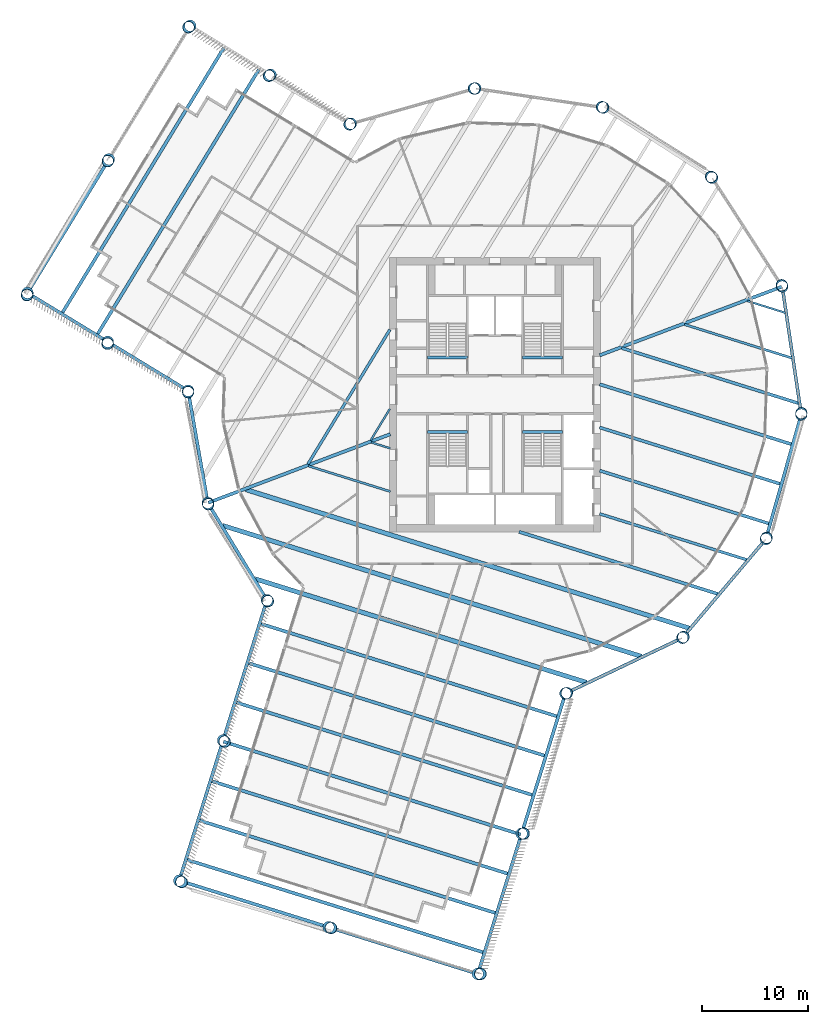
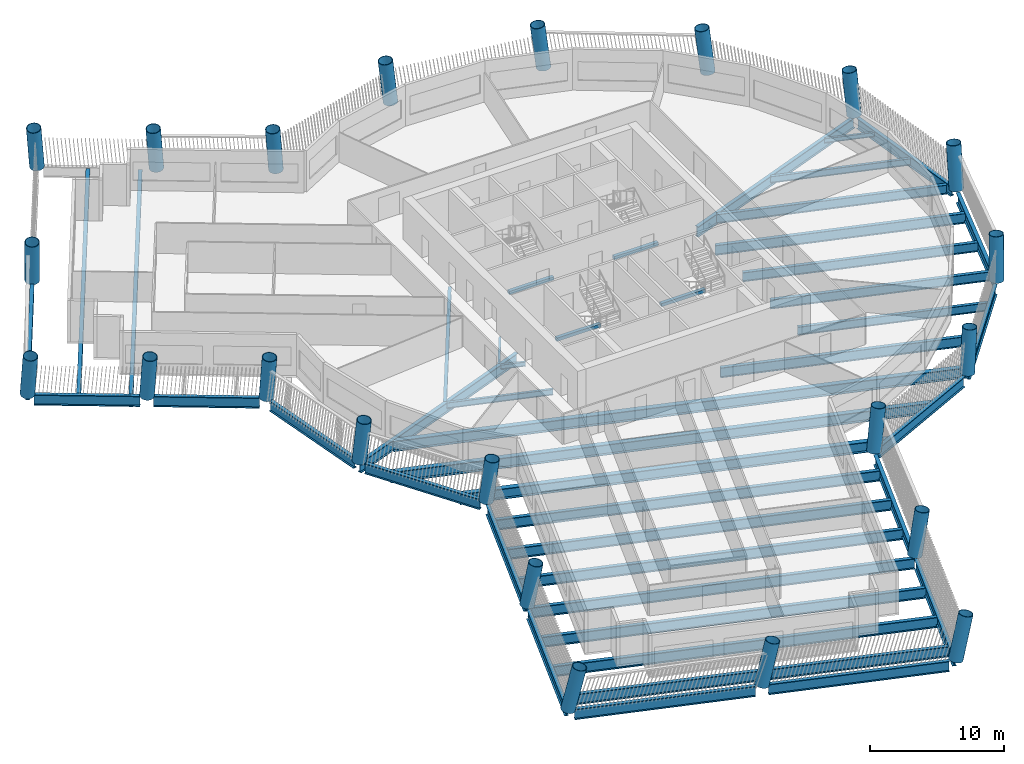
# One storey, part 1 of 15: 45 beams, 22 columns.
"""IFC4 building model written with IfcOpenShell, lengths in metres."""

from ifc_helpers import new_model, si_unit, direction, frame, origin, origin_2d, place, context, subcontext, project, spatial, rectangle, hollow_circle, i_section, extrude, material, material_profile, profile_set, type_object, element, save


model = new_model("IFC4")

# Units and contexts
model_context = context("Model", 3, precision=1e-05, world=origin(), true_north=direction((0.0, 1.0)))
body_context = subcontext(model_context, "Body", "Model", "MODEL_VIEW")
ifc_project = project(units=[si_unit("LENGTHUNIT", "METRE"), si_unit("AREAUNIT", "SQUARE_METRE"), si_unit("VOLUMEUNIT", "CUBIC_METRE"), si_unit("PLANEANGLEUNIT", "RADIAN"), si_unit("MASSUNIT", "GRAM", prefix="KILO")], contexts=[model_context])

# Site, building, storey
site_placement = place(None, origin())
site = spatial("IfcSite", under=ifc_project, at=site_placement, CompositionType="ELEMENT")
building_placement = place(site_placement, origin())
building = spatial("IfcBuilding", under=site, at=building_placement, Name="Tarsis Ring Headquarters", CompositionType="ELEMENT")
storey_placement = place(building_placement, frame((0.0, 0.0, 151.5)))
storey = spatial("IfcBuildingStorey", under=building, at=storey_placement, Name="L34", CompositionType="ELEMENT", Elevation=151.5)

# Columns
ifc_material_1 = material(Name="Structural steel S355", Category="steel")
ifc_material_profile_1 = material_profile(ifc_material_1, hollow_circle(Radius=0.558837890625, WallThickness=0.044921875, at=origin_2d()), Name="CHS 1118x45")
ifc_profile_set_1 = profile_set([ifc_material_profile_1], Name="Structural steel S355")
column_type = type_object("IfcColumnType", Name="XC Exo column CHS 1118x45", PredefinedType="COLUMN", material=ifc_profile_set_1)
for number, where, z_axis, x_axis, name in (
    (1, (-27.183837890625, -10.239501953125, 0.0009765625), (0.041804272947, -0.108429832957, 0.993224734936), (0.933055569387, 0.359732267716, 0.0), "Exo column XC4 F1"),
    (2, (-21.583740234375, -19.441162109375, 0.0009765625), (0.078445315839, -0.085723747206, 0.993225941862), (0.737731659845, 0.675094066084, 0.0), "Exo column XC4 AK"),
):
    element("IfcColumn", number, at=place(storey_placement, frame(where, z_axis=z_axis, x_axis=x_axis)), inside=storey, type_object=column_type, Name=name, PredefinedType="COLUMN", context=body_context, shape_type="SweptSolid", body=[
        extrude(hollow_circle(Radius=0.558837890625, WallThickness=0.044921875, at=origin_2d()), origin(), (0.0, 0.0, 1.0), 3.924560546875),
    ])
column_1_placement = place(storey_placement, frame((-25.731689453125, -32.710205078125, 0.001220703125), z_axis=(0.13072447275, -0.101194086184, 0.986240776457), x_axis=(0.612127968154, 0.790758718323, 0.0)))
element("IfcColumn", 3, at=column_1_placement, inside=storey, type_object=column_type, Name="Exo column XC4 AI1", PredefinedType="COLUMN", context=body_context, shape_type="SweptSolid", body=[
    extrude(hollow_circle(Radius=0.558837890625, WallThickness=0.044921875, at=origin_2d()), origin(), (0.0, 0.0, 1.0), 3.951904296875),
])
column_2_placement = place(storey_placement, frame((-29.879638671875, -45.979248046875, 0.001708984375), z_axis=(0.18170218149, -0.116056915248, 0.976480982746), x_axis=(0.538288519805, 0.842760624048, 0.0)))
element("IfcColumn", 4, at=column_2_placement, inside=storey, type_object=column_type, Name="Exo column XC4 AT1", PredefinedType="COLUMN", context=body_context, shape_type="SweptSolid", body=[
    extrude(hollow_circle(Radius=0.558837890625, WallThickness=0.044921875, at=origin_2d()), origin(), (0.0, 0.0, 1.0), 3.990478515625),
])
column_3_placement = place(storey_placement, frame((-15.75390625, -50.39501953125, 0.00146484375), z_axis=(0.199032044073, -0.060481720289, 0.978124842207), x_axis=(0.290751316347, 0.956798658048, 0.0)))
element("IfcColumn", 5, at=column_3_placement, inside=storey, type_object=column_type, Name="Exo column XC4 AT2", PredefinedType="COLUMN", context=body_context, shape_type="SweptSolid", body=[
    extrude(hollow_circle(Radius=0.558837890625, WallThickness=0.044921875, at=origin_2d()), origin(), (0.0, 0.0, 1.0), 3.984130859375),
])
column_4_placement = place(storey_placement, frame((-1.6279296875, -54.810791015625, 0.001708984375), z_axis=(0.215593434626, -0.004710753254, 0.976471853025), x_axis=(0.021844956165, 0.999761370473, 0.0)))
element("IfcColumn", 6, at=column_4_placement, inside=storey, type_object=column_type, Name="Exo column XC4 AT3", PredefinedType="COLUMN", context=body_context, shape_type="SweptSolid", body=[
    extrude(hollow_circle(Radius=0.558837890625, WallThickness=0.044921875, at=origin_2d()), origin(), (0.0, 0.0, 1.0), 3.99072265625),
])
column_5_placement = place(storey_placement, frame((2.52001953125, -41.541748046875, 0.001220703125), z_axis=(0.164889373761, 0.011305640839, 0.986247269657), x_axis=(-0.068404404128, 0.997657675506, 0.0)))
element("IfcColumn", 7, at=column_5_placement, inside=storey, type_object=column_type, Name="Exo column XC4 AO1", PredefinedType="COLUMN", context=body_context, shape_type="SweptSolid", body=[
    extrude(hollow_circle(Radius=0.558837890625, WallThickness=0.044921875, at=origin_2d()), origin(), (0.0, 0.0, 1.0), 3.951904296875),
])
for number, where, z_axis, x_axis, name in (
    (8, (6.66796875, -28.27294921875, 0.0009765625), (0.112908678465, 0.027558426755, 0.993223118661), (-0.23711636169, 0.971481256134, 0.0), "Exo column XC4 AJ"),
    (9, (17.72900390625, -23.010986328125, 0.0009765625), (0.091447135319, 0.071664693801, 0.99322786565), (-0.616827875419, 0.787098070196, 0.0), "Exo column XC4 R1"),
    (10, (25.6376953125, -13.657470703125, 0.0009765625), (0.053810807795, 0.102955938613, 0.993229314745), (-0.886250425373, 0.463206415678, 0.0), "Exo column XC4 R2"),
    (11, (28.98779296875, -1.875732421875, 0.0009765625), (0.006594128582, 0.11601933779, 0.993225065495), (-0.998388711105, 0.056744881167, 0.0), "Exo column XC4 R3"),
    (12, (27.183837890625, 10.239501953125, 0.0009765625), (-0.041804272947, 0.108429832957, 0.993224734936), (-0.933055569387, -0.359732267716, 0.0), "Exo column XC4 R4"),
    (13, (20.546630859375, 20.5341796875, 0.0009765625), (-0.082799728302, 0.081555555074, 0.993223487655), (-0.701733860568, -0.71243918262, 0.0), "Exo column XC4 R5"),
    (14, (10.255859375, 27.177734375, 0.0009765625), (-0.108990304854, 0.040187064461, 0.993230141154), (-0.345953519993, -0.938251651746, 0.0), "Exo column XC4 R6"),
    (15, (-1.858154296875, 28.989013671875, 0.0009765625), (-0.115895085319, -0.00833598574, 0.993226479984), (0.071741661365, -0.997423247185, 0.0), "Exo column XC4 R7"),
    (16, (-13.64208984375, 25.64599609375, 0.0009765625), (-0.102146668835, -0.055427942711, 0.993223943133), (0.47693829046, -0.878936782194, 0.0), "Exo column XC4 BJ"),
):
    element("IfcColumn", number, at=place(storey_placement, frame(where, z_axis=z_axis, x_axis=x_axis)), inside=storey, type_object=column_type, Name=name, PredefinedType="COLUMN", context=body_context, shape_type="SweptSolid", body=[
        extrude(hollow_circle(Radius=0.558837890625, WallThickness=0.044921875, at=origin_2d()), origin(), (0.0, 0.0, 1.0), 3.924560546875),
    ])
column_6_placement = place(storey_placement, frame((-21.243896484375, 30.278564453125, 0.001220703125), z_axis=(-0.119941943208, -0.085557760109, 0.989087357085), x_axis=(0.580720965687, -0.814102671665, 0.0)))
element("IfcColumn", 17, at=column_6_placement, inside=storey, type_object=column_type, Name="Exo column XC4 BO1", PredefinedType="COLUMN", context=body_context, shape_type="SweptSolid", body=[
    extrude(hollow_circle(Radius=0.558837890625, WallThickness=0.044921875, at=origin_2d()), origin(), (0.0, 0.0, 1.0), 3.940673828125),
])
column_7_placement = place(storey_placement, frame((-28.845703125, 34.911376953125, 0.00146484375), z_axis=(-0.137430726808, -0.115367856765, 0.983769817058), x_axis=(0.642950410575, -0.765907807469, 0.0)))
element("IfcColumn", 18, at=column_7_placement, inside=storey, type_object=column_type, Name="Exo column XC4 BT3", PredefinedType="COLUMN", context=body_context, shape_type="SweptSolid", body=[
    extrude(hollow_circle(Radius=0.558837890625, WallThickness=0.044921875, at=origin_2d()), origin(), (0.0, 0.0, 1.0), 3.96142578125),
])
column_8_placement = place(storey_placement, frame((-36.547607421875, 22.2734375, 0.001220703125), z_axis=(-0.087286775576, -0.145745457663, 0.985463992432), x_axis=(0.857909447633, -0.513800914423, 0.0)))
element("IfcColumn", 19, at=column_8_placement, inside=storey, type_object=column_type, Name="Exo column XC4 BT2", PredefinedType="COLUMN", context=body_context, shape_type="SweptSolid", body=[
    extrude(hollow_circle(Radius=0.558837890625, WallThickness=0.044921875, at=origin_2d()), origin(), (0.0, 0.0, 1.0), 3.954833984375),
])
column_9_placement = place(storey_placement, frame((-44.249755859375, 9.635498046875, 0.00146484375), z_axis=(-0.036791879247, -0.175639624544, 0.98376678126), x_axis=(0.978756981473, -0.205023830856, 0.0)))
element("IfcColumn", 20, at=column_9_placement, inside=storey, type_object=column_type, Name="Exo column XC4 BT1", PredefinedType="COLUMN", context=body_context, shape_type="SweptSolid", body=[
    extrude(hollow_circle(Radius=0.558837890625, WallThickness=0.044921875, at=origin_2d()), origin(), (0.0, 0.0, 1.0), 3.96142578125),
])
column_10_placement = place(storey_placement, frame((-36.64794921875, 5.002685546875, 0.001220703125), z_axis=(-0.018771853743, -0.146147864623, 0.989084637012), x_axis=(0.991851721343, -0.127397656451, 0.0)))
element("IfcColumn", 21, at=column_10_placement, inside=storey, type_object=column_type, Name="Exo column XC4 BI1", PredefinedType="COLUMN", context=body_context, shape_type="SweptSolid", body=[
    extrude(hollow_circle(Radius=0.558837890625, WallThickness=0.044921875, at=origin_2d()), origin(), (0.0, 0.0, 1.0), 3.940673828125),
])
column_11_placement = place(storey_placement, frame((-29.046142578125, 0.369873046875, 0.0009765625), z_axis=(-0.000559878794, -0.116205954177, 0.993224980933), x_axis=(0.999988393702, -0.004817931233, 0.0)))
element("IfcColumn", 22, at=column_11_placement, inside=storey, type_object=column_type, Name="Exo column XC4 BK", PredefinedType="COLUMN", context=body_context, shape_type="SweptSolid", body=[
    extrude(hollow_circle(Radius=0.558837890625, WallThickness=0.044921875, at=origin_2d()), origin(), (0.0, 0.0, 1.0), 3.924560546875),
])

# Beams
ifc_material_profile_2 = material_profile(ifc_material_1, i_section(OverallWidth=0.177734375, OverallDepth=0.406494140625, WebThickness=0.0078125, FlangeThickness=0.0126953125, at=origin_2d()), Name="W16x40")
ifc_profile_set_2 = profile_set([ifc_material_profile_2], Name="Structural steel S355")
beam_type_1 = type_object("IfcBeamType", Name="FB Floor beam W16x40", PredefinedType="JOIST", material=ifc_profile_set_2)
beam_1_placement = place(storey_placement, frame((23.85693359375, 8.886474609375, -0.36328125), z_axis=(0.954457142188, -0.298348058025, 0.0), x_axis=(0.298348058025, 0.954457142188, 0.0)))
element("IfcBeam", 23, at=beam_1_placement, inside=storey, type_object=beam_type_1, Name="Floor beam FB1", PredefinedType="JOIST", context=body_context, shape_type="SweptSolid", body=[
    extrude(i_section(OverallWidth=0.177734375, OverallDepth=0.406494140625, WebThickness=0.0078125, FlangeThickness=0.0126953125, at=origin_2d()), origin(), (0.0, 0.0, 1.0), 3.80517578125),
])
beam_2_placement = place(storey_placement, frame((-11.71142578125, -4.51123046875, -0.36328125), z_axis=(0.954473093506, -0.298297022737, 0.0), x_axis=(0.298297022737, 0.954473093506, 0.0)))
element("IfcBeam", 24, at=beam_2_placement, inside=storey, type_object=beam_type_1, Name="Floor beam FB1", PredefinedType="JOIST", context=body_context, shape_type="SweptSolid", body=[
    extrude(i_section(OverallWidth=0.177734375, OverallDepth=0.406494140625, WebThickness=0.0078125, FlangeThickness=0.0126953125, at=origin_2d()), origin(), (0.0, 0.0, 1.0), 1.89306640625),
])
beam_3_placement = place(storey_placement, frame((-9.947998046875, -1.3349609375, -0.36328125), z_axis=(-0.520387583715, -0.85393018609, 0.0), x_axis=(0.85393018609, -0.520387583715, 0.0)))
element("IfcBeam", 25, at=beam_3_placement, inside=storey, type_object=beam_type_1, Name="Floor beam FB1", PredefinedType="JOIST", context=body_context, shape_type="SweptSolid", body=[
    extrude(i_section(OverallWidth=0.177734375, OverallDepth=0.406494140625, WebThickness=0.0078125, FlangeThickness=0.0126953125, at=origin_2d()), origin(), (0.0, 0.0, 1.0), 3.514892578125),
])
ifc_material_profile_3 = material_profile(ifc_material_1, i_section(OverallWidth=0.209228515625, OverallDepth=0.533447265625, WebThickness=0.01025390625, FlangeThickness=0.015625, at=origin_2d()), Name="W21x62")
ifc_profile_set_3 = profile_set([ifc_material_profile_3], Name="Structural steel S355")
beam_type_2 = type_object("IfcBeamType", Name="FB Floor beam W21x62", PredefinedType="JOIST", material=ifc_profile_set_3)
beam_4_placement = place(storey_placement, frame((-17.639404296875, -6.744140625, -0.4267578125), z_axis=(0.954451026877, -0.298367621053, 0.0), x_axis=(0.298367621053, 0.954451026877, 0.0)))
element("IfcBeam", 26, at=beam_4_placement, inside=storey, type_object=beam_type_2, Name="Floor beam FB3", PredefinedType="JOIST", context=body_context, shape_type="SweptSolid", body=[
    extrude(i_section(OverallWidth=0.209228515625, OverallDepth=0.533447265625, WebThickness=0.01025390625, FlangeThickness=0.015625, at=origin_2d()), origin(), (0.0, 0.0, 1.0), 8.10400390625),
])
ifc_material_profile_4 = material_profile(ifc_material_1, i_section(OverallWidth=0.228271484375, OverallDepth=0.607177734375, WebThickness=0.01123046875, FlangeThickness=0.017333984375, at=origin_2d()), Name="W24x76")
ifc_profile_set_4 = profile_set([ifc_material_profile_4], Name="Structural steel S355")
beam_type_3 = type_object("IfcBeamType", Name="FB Floor beam W24x76", PredefinedType="JOIST", material=ifc_profile_set_4)
beam_5_placement = place(storey_placement, frame((17.928955078125, 6.653564453125, -0.463623046875), z_axis=(0.954450293235, -0.298369967898, 0.0), x_axis=(0.298369967898, 0.954450293235, 0.0)))
element("IfcBeam", 27, at=beam_5_placement, inside=storey, type_object=beam_type_3, Name="Floor beam FB4", PredefinedType="JOIST", context=body_context, shape_type="SweptSolid", body=[
    extrude(i_section(OverallWidth=0.228271484375, OverallDepth=0.607177734375, WebThickness=0.01123046875, FlangeThickness=0.017333984375, at=origin_2d()), origin(), (0.0, 0.0, 1.0), 10.6845703125),
])
ifc_material_profile_5 = material_profile(ifc_material_1, i_section(OverallWidth=0.2666015625, OverallDepth=0.7568359375, WebThickness=0.013916015625, FlangeThickness=0.019287109375, at=origin_2d()), Name="W30x108")
ifc_profile_set_5 = profile_set([ifc_material_profile_5], Name="Structural steel S355")
beam_type_4 = type_object("IfcBeamType", Name="FB Floor beam W30x108", PredefinedType="JOIST", material=ifc_profile_set_5)
beam_6_placement = place(storey_placement, frame((9.904541015625, -11.2685546875, -0.538330078125), z_axis=(0.95445149444, -0.298366125358, 0.0), x_axis=(0.298366125358, 0.95445149444, 0.0)))
element("IfcBeam", 28, at=beam_6_placement, inside=storey, type_object=beam_type_4, Name="Floor beam FB6", PredefinedType="JOIST", context=body_context, shape_type="SweptSolid", body=[
    extrude(i_section(OverallWidth=0.2666015625, OverallDepth=0.7568359375, WebThickness=0.013916015625, FlangeThickness=0.019287109375, at=origin_2d()), origin(), (0.0, 0.0, 1.0), 14.6435546875),
])
beam_7_placement = place(storey_placement, frame((-9.947998046875, 6.1591796875, -0.538330078125), z_axis=(-0.520413467249, -0.85391441205, 0.0), x_axis=(0.85391441205, -0.520413467249, 0.0)))
element("IfcBeam", 29, at=beam_7_placement, inside=storey, type_object=beam_type_4, Name="Floor beam FB6", PredefinedType="JOIST", context=body_context, shape_type="SweptSolid", body=[
    extrude(i_section(OverallWidth=0.2666015625, OverallDepth=0.7568359375, WebThickness=0.013916015625, FlangeThickness=0.019287109375, at=origin_2d()), origin(), (0.0, 0.0, 1.0), 14.906005859375),
])
ifc_material_profile_6 = material_profile(ifc_material_1, i_section(OverallWidth=0.2919921875, OverallDepth=0.835693359375, WebThickness=0.013916015625, FlangeThickness=0.018798828125, at=origin_2d()), Name="W33x118")
ifc_profile_set_6 = profile_set([ifc_material_profile_6], Name="Structural steel S355")
beam_type_5 = type_object("IfcBeamType", Name="FB Floor beam W33x118", PredefinedType="JOIST", material=ifc_profile_set_6)
beam_8_placement = place(storey_placement, frame((12.0009765625, 4.420654296875, -0.577880859375), z_axis=(0.954448809405, -0.298374714454, 0.0), x_axis=(0.298374714454, 0.954448809405, 0.0)))
element("IfcBeam", 30, at=beam_8_placement, inside=storey, type_object=beam_type_5, Name="Floor beam FB7", PredefinedType="JOIST", context=body_context, shape_type="SweptSolid", body=[
    extrude(i_section(OverallWidth=0.2919921875, OverallDepth=0.835693359375, WebThickness=0.013916015625, FlangeThickness=0.018798828125, at=origin_2d()), origin(), (0.0, 0.0, 1.0), 17.564208984375),
])
beam_9_placement = place(storey_placement, frame((9.904541015625, -3.09619140625, -0.577880859375), z_axis=(0.954447100583, -0.298380180624, 0.0), x_axis=(0.298380180624, 0.954447100583, 0.0)))
element("IfcBeam", 31, at=beam_9_placement, inside=storey, type_object=beam_type_5, Name="Floor beam FB7", PredefinedType="JOIST", context=body_context, shape_type="SweptSolid", body=[
    extrude(i_section(OverallWidth=0.2919921875, OverallDepth=0.835693359375, WebThickness=0.013916015625, FlangeThickness=0.018798828125, at=origin_2d()), origin(), (0.0, 0.0, 1.0), 17.972900390625),
])
beam_10_placement = place(storey_placement, frame((9.904541015625, -7.182373046875, -0.577880859375), z_axis=(0.954449302251, -0.298373137922, 0.0), x_axis=(0.298373137922, 0.954449302251, 0.0)))
element("IfcBeam", 32, at=beam_10_placement, inside=storey, type_object=beam_type_5, Name="Floor beam FB7", PredefinedType="JOIST", context=body_context, shape_type="SweptSolid", body=[
    extrude(i_section(OverallWidth=0.2919921875, OverallDepth=0.835693359375, WebThickness=0.013916015625, FlangeThickness=0.018798828125, at=origin_2d()), origin(), (0.0, 0.0, 1.0), 16.85498046875),
])
ifc_material_profile_7 = material_profile(ifc_material_1, i_section(OverallWidth=0.3046875, OverallDepth=0.904296875, WebThickness=0.01513671875, FlangeThickness=0.02001953125, at=origin_2d()), Name="W36x135")
ifc_profile_set_7 = profile_set([ifc_material_profile_7], Name="Structural steel S355")
beam_type_6 = type_object("IfcBeamType", Name="FB Floor beam W36x135", PredefinedType="JOIST", material=ifc_profile_set_7)
beam_11_placement = place(storey_placement, frame((9.904541015625, 0.98974609375, -0.612060546875), z_axis=(0.954451302068, -0.298366740742, 0.0), x_axis=(0.298366740742, 0.954451302068, 0.0)))
element("IfcBeam", 33, at=beam_11_placement, inside=storey, type_object=beam_type_6, Name="Floor beam FB8", PredefinedType="JOIST", context=body_context, shape_type="SweptSolid", body=[
    extrude(i_section(OverallWidth=0.3046875, OverallDepth=0.904296875, WebThickness=0.01513671875, FlangeThickness=0.02001953125, at=origin_2d()), origin(), (0.0, 0.0, 1.0), 19.0908203125),
])
beam_12_placement = place(storey_placement, frame((2.27685546875, -12.97021484375, -0.612060546875), z_axis=(0.95444943305, -0.298372719513, 0.0), x_axis=(0.298372719513, 0.95444943305, 0.0)))
element("IfcBeam", 34, at=beam_12_placement, inside=storey, type_object=beam_type_6, Name="Floor beam FB8", PredefinedType="JOIST", context=body_context, shape_type="SweptSolid", body=[
    extrude(i_section(OverallWidth=0.3046875, OverallDepth=0.904296875, WebThickness=0.01513671875, FlangeThickness=0.02001953125, at=origin_2d()), origin(), (0.0, 0.0, 1.0), 19.77197265625),
])
ifc_material_profile_8 = material_profile(ifc_material_1, i_section(OverallWidth=0.309814453125, OverallDepth=0.949951171875, WebThickness=0.0244140625, FlangeThickness=0.0439453125, at=origin_2d()), Name="W36x256")
ifc_profile_set_8 = profile_set([ifc_material_profile_8], Name="Structural steel S355")
beam_type_7 = type_object("IfcBeamType", Name="FB Floor beam W36x256", PredefinedType="JOIST", material=ifc_profile_set_8)
for number, where, z_axis, x_axis, name in (
    (35, (-22.218994140625, -21.656982421875, -0.635009765625), (0.95444889071, -0.298374454372, 0.0), (0.298374454372, 0.95444889071, 0.0), "Floor beam FB11"),
    (36, (-23.382568359375, -25.379150390625, -0.635009765625), (0.954446533038, -0.29838199606, 0.0), (0.29838199606, 0.954446533038, 0.0), "Floor beam FB11"),
    (37, (-24.54638671875, -29.1015625, -0.635009765625), (0.95444889071, -0.298374454372, 0.0), (0.298374454372, 0.95444889071, 0.0), "Floor beam FB11"),
    (38, (-25.7099609375, -32.823974609375, -0.635009765625), (0.95444889071, -0.298374454372, 0.0), (0.298374454372, 0.95444889071, 0.0), "Floor beam FB11"),
):
    element("IfcBeam", number, at=place(storey_placement, frame(where, z_axis=z_axis, x_axis=x_axis)), inside=storey, type_object=beam_type_7, Name=name, PredefinedType="JOIST", context=body_context, shape_type="SweptSolid", body=[
        extrude(i_section(OverallWidth=0.309814453125, OverallDepth=0.949951171875, WebThickness=0.0244140625, FlangeThickness=0.0439453125, at=origin_2d()), origin(), (0.0, 0.0, 1.0), 29.489990234375),
    ])
beam_13_placement = place(storey_placement, frame((-26.873779296875, -36.54638671875, -0.635009765625), z_axis=(0.954449627737, -0.298372096741, 0.0), x_axis=(0.298372096741, 0.954449627737, 0.0)))
element("IfcBeam", 39, at=beam_13_placement, inside=storey, type_object=beam_type_7, Name="Floor beam FB11", PredefinedType="JOIST", context=body_context, shape_type="SweptSolid", body=[
    extrude(i_section(OverallWidth=0.309814453125, OverallDepth=0.949951171875, WebThickness=0.0244140625, FlangeThickness=0.0439453125, at=origin_2d()), origin(), (0.0, 0.0, 1.0), 29.490234375),
])
for number, where, z_axis, x_axis, name in (
    (40, (-28.037353515625, -40.2685546875, -0.635009765625), (0.954446533038, -0.29838199606, 0.0), (0.29838199606, 0.954446533038, 0.0), "Floor beam FB11"),
    (41, (-29.200927734375, -43.990966796875, -0.635009765625), (0.95444889071, -0.298374454372, 0.0), (0.298374454372, 0.95444889071, 0.0), "Floor beam FB11"),
    (42, (-22.298828125, 30.857421875, -0.635009765625), (-0.520418562049, -0.853911307031, 0.0), (0.853911307031, -0.520418562049, 0.0), "Floor beam FB11"),
):
    element("IfcBeam", number, at=place(storey_placement, frame(where, z_axis=z_axis, x_axis=x_axis)), inside=storey, type_object=beam_type_7, Name=name, PredefinedType="JOIST", context=body_context, shape_type="SweptSolid", body=[
        extrude(i_section(OverallWidth=0.309814453125, OverallDepth=0.949951171875, WebThickness=0.0244140625, FlangeThickness=0.0439453125, at=origin_2d()), origin(), (0.0, 0.0, 1.0), 29.489990234375),
    ])
beam_14_placement = place(storey_placement, frame((-25.629150390625, 32.88720703125, -0.635009765625), z_axis=(-0.520408846471, -0.85391722814, 0.0), x_axis=(0.85391722814, -0.520408846471, 0.0)))
element("IfcBeam", 43, at=beam_14_placement, inside=storey, type_object=beam_type_7, Name="Floor beam FB11", PredefinedType="JOIST", context=body_context, shape_type="SweptSolid", body=[
    extrude(i_section(OverallWidth=0.309814453125, OverallDepth=0.949951171875, WebThickness=0.0244140625, FlangeThickness=0.0439453125, at=origin_2d()), origin(), (0.0, 0.0, 1.0), 29.490234375),
])
beam_type_8 = type_object("IfcBeamType", Name="FB Floor beam W36x256 spine", PredefinedType="BEAM", material=ifc_profile_set_8)
beam_15_placement = place(storey_placement, frame((-9.906494140625, -3.7314453125, -0.635009765625), z_axis=(-0.935811377892, -0.352501156037, 0.0), x_axis=(0.352501156037, -0.935811377892, 0.0)))
element("IfcBeam", 44, at=beam_15_placement, inside=storey, type_object=beam_type_8, Name="Floor beam SB11", PredefinedType="BEAM", context=body_context, shape_type="SweptSolid", body=[
    extrude(i_section(OverallWidth=0.309814453125, OverallDepth=0.949951171875, WebThickness=0.0244140625, FlangeThickness=0.0439453125, at=origin_2d()), origin(), (0.0, 0.0, 1.0), 18.405029296875),
])
beam_16_placement = place(storey_placement, frame((27.129150390625, 10.21875, -0.635009765625), z_axis=(-0.935813536477, -0.352495425426, 0.0), x_axis=(0.352495425426, -0.935813536477, 0.0)))
element("IfcBeam", 45, at=beam_16_placement, inside=storey, type_object=beam_type_8, Name="Floor beam SB11", PredefinedType="BEAM", context=body_context, shape_type="SweptSolid", body=[
    extrude(i_section(OverallWidth=0.309814453125, OverallDepth=0.949951171875, WebThickness=0.0244140625, FlangeThickness=0.0439453125, at=origin_2d()), origin(), (0.0, 0.0, 1.0), 18.404052734375),
])
ifc_material_profile_9 = material_profile(ifc_material_1, i_section(OverallWidth=0.42431640625, OverallDepth=0.947509765625, WebThickness=0.02392578125, FlangeThickness=0.042724609375, at=origin_2d()), Name="W36x302")
ifc_profile_set_9 = profile_set([ifc_material_profile_9], Name="Structural steel S355")
beam_type_9 = type_object("IfcBeamType", Name="FB Floor beam W36x302", PredefinedType="JOIST", material=ifc_profile_set_9)
beam_17_placement = place(storey_placement, frame((-23.5673828125, -8.97705078125, -0.6337890625), z_axis=(0.954448566873, -0.298375490271, 0.0), x_axis=(0.298375490271, 0.954448566873, 0.0)))
element("IfcBeam", 46, at=beam_17_placement, inside=storey, type_object=beam_type_9, Name="Floor beam FB12", PredefinedType="JOIST", context=body_context, shape_type="SweptSolid", body=[
    extrude(i_section(OverallWidth=0.42431640625, OverallDepth=0.947509765625, WebThickness=0.02392578125, FlangeThickness=0.042724609375, at=origin_2d()), origin(), (0.0, 0.0, 1.0), 43.986572265625),
])
beam_18_placement = place(storey_placement, frame((-25.782958984375, -12.37060546875, -0.6337890625), z_axis=(0.954448796627, -0.298374755327, 0.0), x_axis=(0.298374755327, 0.954448796627, 0.0)))
element("IfcBeam", 47, at=beam_18_placement, inside=storey, type_object=beam_type_9, Name="Floor beam FB12", PredefinedType="JOIST", context=body_context, shape_type="SweptSolid", body=[
    extrude(i_section(OverallWidth=0.42431640625, OverallDepth=0.947509765625, WebThickness=0.02392578125, FlangeThickness=0.042724609375, at=origin_2d()), origin(), (0.0, 0.0, 1.0), 41.523681640625),
])
beam_19_placement = place(storey_placement, frame((-22.711669921875, -17.416748046875, -0.6337890625), z_axis=(0.954449184235, -0.298373515435, 0.0), x_axis=(0.298373515435, 0.954449184235, 0.0)))
element("IfcBeam", 48, at=beam_19_placement, inside=storey, type_object=beam_type_9, Name="Floor beam FB12", PredefinedType="JOIST", context=body_context, shape_type="SweptSolid", body=[
    extrude(i_section(OverallWidth=0.42431640625, OverallDepth=0.947509765625, WebThickness=0.02392578125, FlangeThickness=0.042724609375, at=origin_2d()), origin(), (0.0, 0.0, 1.0), 32.875244140625),
])
ifc_material_2 = material(Name="Concrete C40/50", Category="concrete")
ifc_material_profile_10 = material_profile(ifc_material_2, rectangle(XDim=0.300048828125, YDim=0.300048828125, at=origin_2d()), Name="Stair head beam 300x300 C40/50")
ifc_profile_set_10 = profile_set([ifc_material_profile_10], Name="Concrete C40/50")
beam_type_10 = type_object("IfcBeamType", Name="Stair head beam 300x300 C40/50", PredefinedType="BEAM", material=ifc_profile_set_10)
for number, where, z_axis, x_axis, name in (
    (49, (-6.39990234375, 3.510009765625, -0.31005859375), (1.0, 0.0, 0.0), (0.0, 1.0, 0.0), "Stair head beam L34 Firefighting stair"),
    (50, (2.60009765625, 3.510009765625, -0.31005859375), (1.0, 0.0, 0.0), (0.0, 1.0, 0.0), "Stair head beam L34 Exit stair B"),
    (51, (-6.39990234375, -3.510009765625, -0.31005859375), (1.0, 0.0, 0.0), (0.0, 1.0, 0.0), "Stair head beam L34 Exit stair C"),
    (52, (2.60009765625, -3.510009765625, -0.31005859375), (1.0, 0.0, 0.0), (0.0, 1.0, 0.0), "Stair head beam L34 Exit stair D"),
):
    element("IfcBeam", number, at=place(storey_placement, frame(where, z_axis=z_axis, x_axis=x_axis)), inside=storey, type_object=beam_type_10, Name=name, PredefinedType="BEAM", context=body_context, shape_type="SweptSolid", body=[
        extrude(rectangle(XDim=0.300048828125, YDim=0.300048828125, at=origin_2d()), origin(), (0.0, 0.0, 1.0), 3.7998046875),
    ])
beam_type_11 = type_object("IfcBeamType", Name="XG Ring girder W36x256", PredefinedType="BEAM", material=ifc_profile_set_8)
beam_20_placement = place(storey_placement, frame((-26.922607421875, -10.669189453125, -0.47509765625), z_axis=(0.519908085553, -0.854222209133, 0.0), x_axis=(0.854222209133, 0.519908085553, 0.0)))
element("IfcBeam", 53, at=beam_20_placement, inside=storey, type_object=beam_type_11, Name="Ring girder XG2", PredefinedType="BEAM", context=body_context, shape_type="SweptSolid", body=[
    extrude(i_section(OverallWidth=0.309814453125, OverallDepth=0.949951171875, WebThickness=0.0244140625, FlangeThickness=0.0439453125, at=origin_2d()), origin(), (0.0, 0.0, 1.0), 9.765869140625),
])
for number, where, z_axis, x_axis, name in (
    (54, (-21.73388671875, -19.9208984375, -0.47509765625), (-0.298367691816, -0.954451004756, 0.0), (0.954451004756, -0.298367691816, 0.0), "Ring girder XG2"),
    (55, (-25.882080078125, -33.18994140625, -0.47509765625), (-0.298367691816, -0.954451004756, 0.0), (0.954451004756, -0.298367691816, 0.0), "Ring girder XG2"),
):
    element("IfcBeam", number, at=place(storey_placement, frame(where, z_axis=z_axis, x_axis=x_axis)), inside=storey, type_object=beam_type_11, Name=name, PredefinedType="BEAM", context=body_context, shape_type="SweptSolid", body=[
        extrude(i_section(OverallWidth=0.309814453125, OverallDepth=0.949951171875, WebThickness=0.0244140625, FlangeThickness=0.0439453125, at=origin_2d()), origin(), (0.0, 0.0, 1.0), 12.896484375),
    ])
for number, where, z_axis, x_axis, name in (
    (56, (-29.39990234375, -46.12890625, -0.47509765625), (0.954445644772, -0.298384837377, 0.0), (0.298384837377, 0.954445644772, 0.0), "Ring girder XG2"),
    (57, (-15.274169921875, -50.544921875, -0.47509765625), (0.954445644772, -0.298384837377, 0.0), (0.298384837377, 0.954445644772, 0.0), "Ring girder XG2"),
):
    element("IfcBeam", number, at=place(storey_placement, frame(where, z_axis=z_axis, x_axis=x_axis)), inside=storey, type_object=beam_type_11, Name=name, PredefinedType="BEAM", context=body_context, shape_type="SweptSolid", body=[
        extrude(i_section(OverallWidth=0.309814453125, OverallDepth=0.949951171875, WebThickness=0.0244140625, FlangeThickness=0.0439453125, at=origin_2d()), origin(), (0.0, 0.0, 1.0), 13.794189453125),
    ])
for number, where, z_axis, x_axis, name in (
    (58, (-1.478271484375, -54.330810546875, -0.47509765625), (0.29837308296, 0.954449319433, 0.0), (-0.954449319433, 0.29837308296, 0.0), "Ring girder XG2"),
    (59, (2.669921875, -41.061767578125, -0.47509765625), (0.29837308296, 0.954449319433, 0.0), (-0.954449319433, 0.29837308296, 0.0), "Ring girder XG2"),
):
    element("IfcBeam", number, at=place(storey_placement, frame(where, z_axis=z_axis, x_axis=x_axis)), inside=storey, type_object=beam_type_11, Name=name, PredefinedType="BEAM", context=body_context, shape_type="SweptSolid", body=[
        extrude(i_section(OverallWidth=0.309814453125, OverallDepth=0.949951171875, WebThickness=0.0244140625, FlangeThickness=0.0439453125, at=origin_2d()), origin(), (0.0, 0.0, 1.0), 12.896240234375),
    ])
beam_21_placement = place(storey_placement, frame((7.1220703125, -28.056884765625, -0.47509765625), z_axis=(0.903023818881, 0.429590482359, 0.0), x_axis=(-0.429590482359, 0.903023818881, 0.0)))
element("IfcBeam", 60, at=beam_21_placement, inside=storey, type_object=beam_type_11, Name="Ring girder XG2", PredefinedType="BEAM", context=body_context, shape_type="SweptSolid", body=[
    extrude(i_section(OverallWidth=0.309814453125, OverallDepth=0.949951171875, WebThickness=0.0244140625, FlangeThickness=0.0439453125, at=origin_2d()), origin(), (0.0, 0.0, 1.0), 11.242919921875),
])
beam_22_placement = place(storey_placement, frame((18.053466796875, -22.626953125, -0.47509765625), z_axis=(0.645678410082, 0.763609449099, 0.0), x_axis=(-0.763609449099, 0.645678410082, 0.0)))
element("IfcBeam", 61, at=beam_22_placement, inside=storey, type_object=beam_type_11, Name="Ring girder XG2", PredefinedType="BEAM", context=body_context, shape_type="SweptSolid", body=[
    extrude(i_section(OverallWidth=0.309814453125, OverallDepth=0.949951171875, WebThickness=0.0244140625, FlangeThickness=0.0439453125, at=origin_2d()), origin(), (0.0, 0.0, 1.0), 11.2431640625),
])
for number, where, z_axis, x_axis, name in (
    (62, (25.775146484375, -13.173828125, -0.47509765625), (0.273522082732, 0.961865723611, 0.0), (-0.961865723611, 0.273522082732, 0.0), "Ring girder XG2"),
    (63, (28.913818359375, -1.37841796875, -0.47509765625), (-0.147271075415, 0.989096168401, 0.0), (-0.989096168401, -0.147271075415, 0.0), "Ring girder XG2"),
):
    element("IfcBeam", number, at=place(storey_placement, frame(where, z_axis=z_axis, x_axis=x_axis)), inside=storey, type_object=beam_type_11, Name=name, PredefinedType="BEAM", context=body_context, shape_type="SweptSolid", body=[
        extrude(i_section(OverallWidth=0.309814453125, OverallDepth=0.949951171875, WebThickness=0.0244140625, FlangeThickness=0.0439453125, at=origin_2d()), origin(), (0.0, 0.0, 1.0), 11.242919921875),
    ])
beam_23_placement = place(storey_placement, frame((-36.809326171875, 21.84423828125, -0.47509765625), z_axis=(-0.520415142061, -0.853913391342, 0.0), x_axis=(0.853913391342, -0.520415142061, 0.0)))
element("IfcBeam", 64, at=beam_23_placement, inside=storey, type_object=beam_type_11, Name="Ring girder XG2", PredefinedType="BEAM", context=body_context, shape_type="SweptSolid", body=[
    extrude(i_section(OverallWidth=0.309814453125, OverallDepth=0.949951171875, WebThickness=0.0244140625, FlangeThickness=0.0439453125, at=origin_2d()), origin(), (0.0, 0.0, 1.0), 13.794189453125),
])
for number, where, z_axis, x_axis, name in (
    (65, (-43.8203125, 9.3740234375, -0.47509765625), (0.853917825824, -0.520407865755, 0.0), (0.520407865755, 0.853917825824, 0.0), "Ring girder XG2"),
    (66, (-36.218505859375, 4.7412109375, -0.47509765625), (0.853917825824, -0.520407865755, 0.0), (0.520407865755, 0.853917825824, 0.0), "Ring girder XG2"),
):
    element("IfcBeam", number, at=place(storey_placement, frame(where, z_axis=z_axis, x_axis=x_axis)), inside=storey, type_object=beam_type_11, Name=name, PredefinedType="BEAM", context=body_context, shape_type="SweptSolid", body=[
        extrude(i_section(OverallWidth=0.309814453125, OverallDepth=0.949951171875, WebThickness=0.0244140625, FlangeThickness=0.0439453125, at=origin_2d()), origin(), (0.0, 0.0, 1.0), 7.896484375),
    ])
beam_24_placement = place(storey_placement, frame((-28.959228515625, -0.125244140625, -0.47509765625), z_axis=(0.172869682934, -0.984944705414, 0.0), x_axis=(0.984944705414, 0.172869682934, 0.0)))
element("IfcBeam", 67, at=beam_24_placement, inside=storey, type_object=beam_type_11, Name="Ring girder XG2", PredefinedType="BEAM", context=body_context, shape_type="SweptSolid", body=[
    extrude(i_section(OverallWidth=0.309814453125, OverallDepth=0.949951171875, WebThickness=0.0244140625, FlangeThickness=0.0439453125, at=origin_2d()), origin(), (0.0, 0.0, 1.0), 9.765869140625),
])

save(model, "model.ifc")
